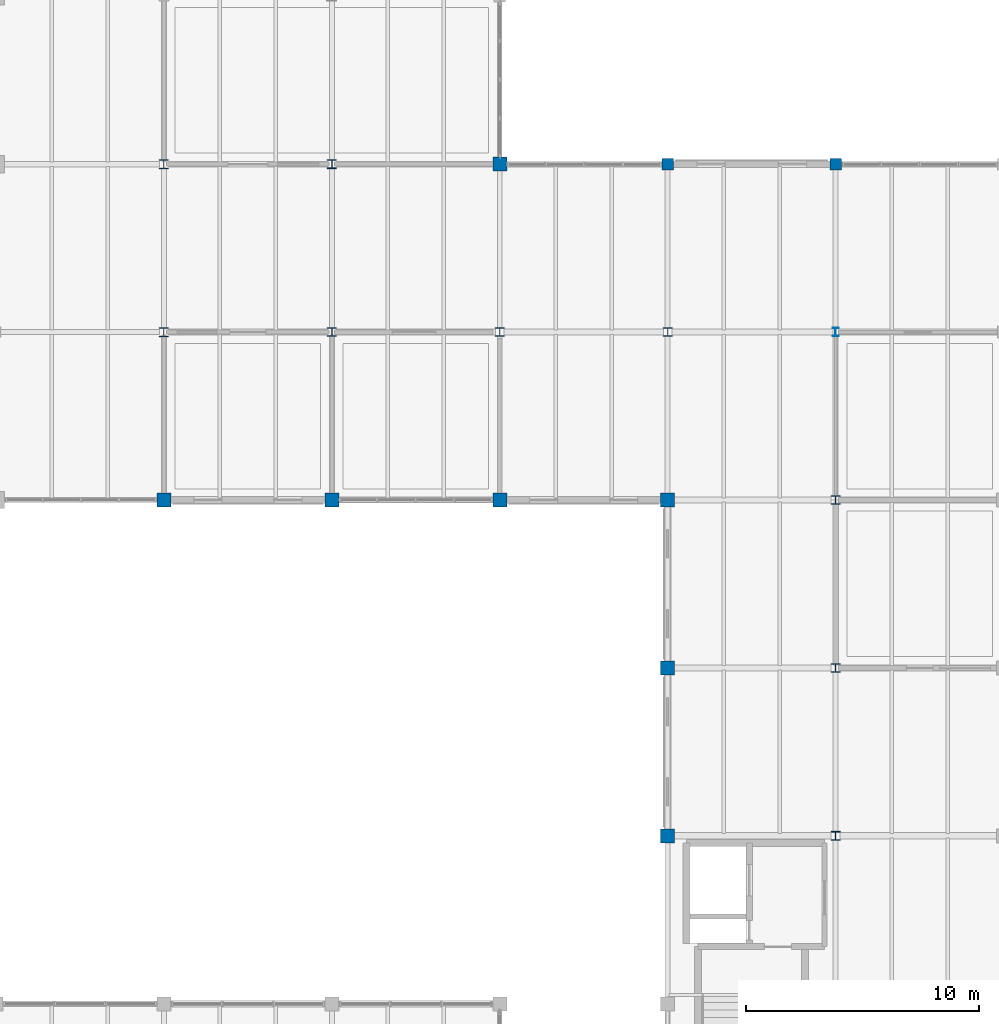
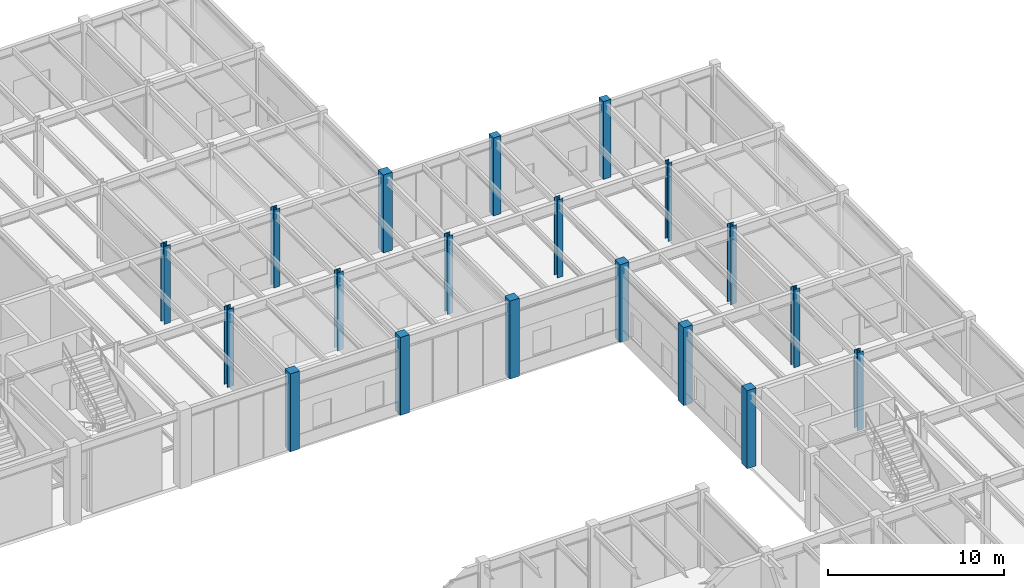
# One storey, part 13 of 97: 19 columns.
"""IFC4 building model written with IfcOpenShell, lengths in metres."""

from ifc_helpers import new_model, si_unit, direction, frame, origin, origin_2d, place, context, subcontext, project, spatial, rectangle, i_section, extrude, material, material_profile, profile_set, type_object, element, save


model = new_model("IFC4")

# Units and contexts
model_context = context("Model", 3, precision=1e-05, world=origin(), true_north=direction((0.0, 1.0)))
body_context = subcontext(model_context, "Body", "Model", "MODEL_VIEW")
ifc_project = project(units=[si_unit("LENGTHUNIT", "METRE"), si_unit("AREAUNIT", "SQUARE_METRE"), si_unit("VOLUMEUNIT", "CUBIC_METRE"), si_unit("PLANEANGLEUNIT", "RADIAN"), si_unit("MASSUNIT", "GRAM", prefix="KILO")], contexts=[model_context])

# Site, building, storey
site_placement = place(None, origin())
site = spatial("IfcSite", under=ifc_project, at=site_placement, CompositionType="ELEMENT")
building_placement = place(site_placement, origin())
building = spatial("IfcBuilding", under=site, at=building_placement, Name="Sillqori Civic Hall", CompositionType="ELEMENT")
storey_placement = place(building_placement, origin())
storey = spatial("IfcBuildingStorey", under=building, at=storey_placement, Name="L01", CompositionType="ELEMENT", Elevation=0.0)

# Columns
ifc_material_1 = material(Name="Concrete C35/45 (H35)", Category="concrete")
ifc_material_profile_1 = material_profile(ifc_material_1, rectangle(XDim=0.5, YDim=0.5, at=origin_2d()), Name="RC 500x500")
ifc_profile_set_1 = profile_set([ifc_material_profile_1], Name="Concrete C35/45 (H35)")
column_type_1 = type_object("IfcColumnType", Name="COL-RC500", PredefinedType="COLUMN", material=ifc_profile_set_1)
for number, where, z_axis, x_axis, name in (
    (1, (122.39990234375, 93.60009765625, 0.0), (0.0, 0.0, 1.0), (1.0, 0.0, 0.0), "L01 column 17-13"),
    (2, (129.60009765625, 93.60009765625, 0.0), (0.0, 0.0, 1.0), (1.0, 0.0, 0.0), "L01 column 18-13"),
):
    element("IfcColumn", number, at=place(storey_placement, frame(where, z_axis=z_axis, x_axis=x_axis)), inside=storey, type_object=column_type_1, Name=name, PredefinedType="COLUMN", context=body_context, shape_type="SweptSolid", body=[
        extrude(rectangle(XDim=0.5, YDim=0.5, at=origin_2d()), origin(), (0.0, 0.0, 1.0), 5.39990234375),
    ])
ifc_material_profile_2 = material_profile(ifc_material_1, rectangle(XDim=0.60009765625, YDim=0.60009765625, at=origin_2d()), Name="RC 600x600")
ifc_profile_set_2 = profile_set([ifc_material_profile_2], Name="Concrete C35/45 (H35)")
column_type_2 = type_object("IfcColumnType", Name="COL-RC600", PredefinedType="COLUMN", material=ifc_profile_set_2)
for number, where, z_axis, x_axis, name in (
    (3, (100.800048828125, 79.199951171875, 0.0), (0.0, 0.0, 1.0), (1.0, 0.0, 0.0), "L01 column 14-11"),
    (4, (108.0, 79.199951171875, 0.0), (0.0, 0.0, 1.0), (1.0, 0.0, 0.0), "L01 column 15-11"),
    (5, (115.199951171875, 79.199951171875, 0.0), (0.0, 0.0, 1.0), (1.0, 0.0, 0.0), "L01 column 16-11"),
    (6, (115.199951171875, 93.60009765625, 0.0), (0.0, 0.0, 1.0), (1.0, 0.0, 0.0), "L01 column 16-13"),
    (7, (122.39990234375, 64.800048828125, 0.0), (0.0, 0.0, 1.0), (1.0, 0.0, 0.0), "L01 column 17-9"),
    (8, (122.39990234375, 72.0, 0.0), (0.0, 0.0, 1.0), (1.0, 0.0, 0.0), "L01 column 17-10"),
    (9, (122.39990234375, 79.199951171875, 0.0), (0.0, 0.0, 1.0), (1.0, 0.0, 0.0), "L01 column 17-11"),
):
    element("IfcColumn", number, at=place(storey_placement, frame(where, z_axis=z_axis, x_axis=x_axis)), inside=storey, type_object=column_type_2, Name=name, PredefinedType="COLUMN", context=body_context, shape_type="SweptSolid", body=[
        extrude(rectangle(XDim=0.60009765625, YDim=0.60009765625, at=origin_2d()), origin(), (0.0, 0.0, 1.0), 5.39990234375),
    ])
ifc_material_2 = material(Name="Steel ASTM A992", Category="steel")
ifc_material_profile_3 = material_profile(ifc_material_2, i_section(OverallWidth=0.373046875, OverallDepth=0.367919921875, WebThickness=0.014892578125, FlangeThickness=0.02392578125, FilletRadius=0.014892578125, at=origin_2d()), Name="W14X120")
ifc_profile_set_3 = profile_set([ifc_material_profile_3], Name="Steel ASTM A992")
column_type_3 = type_object("IfcColumnType", Name="COL-W14X120", PredefinedType="COLUMN", material=ifc_profile_set_3)
column_1_placement = place(storey_placement, frame((115.199951171875, 86.39990234375, 0.0), z_axis=(0.0, 0.0, 1.0), x_axis=(1.0, 0.0, 0.0)))
element("IfcColumn", 10, at=column_1_placement, inside=storey, type_object=column_type_3, Name="L01 column 16-12", PredefinedType="COLUMN", context=body_context, shape_type="SweptSolid", body=[
    extrude(i_section(OverallWidth=0.373046875, OverallDepth=0.367919921875, WebThickness=0.014892578125, FlangeThickness=0.02392578125, FilletRadius=0.014892578125, at=origin_2d()), origin(), (0.0, 0.0, 1.0), 5.39990234375),
])
ifc_material_profile_4 = material_profile(ifc_material_2, i_section(OverallWidth=0.39404296875, OverallDepth=0.3759765625, WebThickness=0.017333984375, FlangeThickness=0.027587890625, FilletRadius=0.014892578125, at=origin_2d()), Name="W14X145")
ifc_profile_set_4 = profile_set([ifc_material_profile_4], Name="Steel ASTM A992")
column_type_4 = type_object("IfcColumnType", Name="COL-W14X145", PredefinedType="COLUMN", material=ifc_profile_set_4)
for number, where, z_axis, x_axis, name in (
    (11, (108.0, 86.39990234375, 0.0), (0.0, 0.0, 1.0), (1.0, 0.0, 0.0), "L01 column 15-12"),
    (12, (108.0, 93.60009765625, 0.0), (0.0, 0.0, 1.0), (1.0, 0.0, 0.0), "L01 column 15-13"),
    (13, (129.60009765625, 64.800048828125, 0.0), (0.0, 0.0, 1.0), (1.0, 0.0, 0.0), "L01 column 18-9"),
    (14, (129.60009765625, 72.0, 0.0), (0.0, 0.0, 1.0), (1.0, 0.0, 0.0), "L01 column 18-10"),
    (15, (129.60009765625, 79.199951171875, 0.0), (0.0, 0.0, 1.0), (1.0, 0.0, 0.0), "L01 column 18-11"),
):
    element("IfcColumn", number, at=place(storey_placement, frame(where, z_axis=z_axis, x_axis=x_axis)), inside=storey, type_object=column_type_4, Name=name, PredefinedType="COLUMN", context=body_context, shape_type="SweptSolid", body=[
        extrude(i_section(OverallWidth=0.39404296875, OverallDepth=0.3759765625, WebThickness=0.017333984375, FlangeThickness=0.027587890625, FilletRadius=0.014892578125, at=origin_2d()), origin(), (0.0, 0.0, 1.0), 5.39990234375),
    ])
ifc_material_profile_5 = material_profile(ifc_material_2, i_section(OverallWidth=0.404052734375, OverallDepth=0.406005859375, WebThickness=0.027099609375, FlangeThickness=0.043701171875, FilletRadius=0.014892578125, at=origin_2d()), Name="W14X233")
ifc_profile_set_5 = profile_set([ifc_material_profile_5], Name="Steel ASTM A992")
column_type_5 = type_object("IfcColumnType", Name="COL-W14X233", PredefinedType="COLUMN", material=ifc_profile_set_5)
for number, where, z_axis, x_axis, name in (
    (16, (100.800048828125, 86.39990234375, 0.0), (0.0, 0.0, 1.0), (1.0, 0.0, 0.0), "L01 column 14-12"),
    (17, (100.800048828125, 93.60009765625, 0.0), (0.0, 0.0, 1.0), (1.0, 0.0, 0.0), "L01 column 14-13"),
):
    element("IfcColumn", number, at=place(storey_placement, frame(where, z_axis=z_axis, x_axis=x_axis)), inside=storey, type_object=column_type_5, Name=name, PredefinedType="COLUMN", context=body_context, shape_type="SweptSolid", body=[
        extrude(i_section(OverallWidth=0.404052734375, OverallDepth=0.406005859375, WebThickness=0.027099609375, FlangeThickness=0.043701171875, FilletRadius=0.014892578125, at=origin_2d()), origin(), (0.0, 0.0, 1.0), 5.39990234375),
    ])
ifc_material_profile_6 = material_profile(ifc_material_2, i_section(OverallWidth=0.257080078125, OverallDepth=0.363037109375, WebThickness=0.012939453125, FlangeThickness=0.021728515625, FilletRadius=0.014892578125, at=origin_2d()), Name="W14X82")
ifc_profile_set_6 = profile_set([ifc_material_profile_6], Name="Steel ASTM A992")
column_type_6 = type_object("IfcColumnType", Name="COL-W14X82", PredefinedType="COLUMN", material=ifc_profile_set_6)
column_2_placement = place(storey_placement, frame((129.60009765625, 86.39990234375, 0.0), z_axis=(0.0, 0.0, 1.0), x_axis=(1.0, 0.0, 0.0)))
element("IfcColumn", 18, at=column_2_placement, inside=storey, type_object=column_type_6, Name="L01 column 18-12", PredefinedType="COLUMN", context=body_context, shape_type="SweptSolid", body=[
    extrude(i_section(OverallWidth=0.257080078125, OverallDepth=0.363037109375, WebThickness=0.012939453125, FlangeThickness=0.021728515625, FilletRadius=0.014892578125, at=origin_2d()), origin(), (0.0, 0.0, 1.0), 5.39990234375),
])
ifc_material_profile_7 = material_profile(ifc_material_2, i_section(OverallWidth=0.37109375, OverallDepth=0.361083984375, WebThickness=0.012451171875, FlangeThickness=0.019775390625, FilletRadius=0.014892578125, at=origin_2d()), Name="W14X99")
ifc_profile_set_7 = profile_set([ifc_material_profile_7], Name="Steel ASTM A992")
column_type_7 = type_object("IfcColumnType", Name="COL-W14X99", PredefinedType="COLUMN", material=ifc_profile_set_7)
column_3_placement = place(storey_placement, frame((122.39990234375, 86.39990234375, 0.0), z_axis=(0.0, 0.0, 1.0), x_axis=(1.0, 0.0, 0.0)))
element("IfcColumn", 19, at=column_3_placement, inside=storey, type_object=column_type_7, Name="L01 column 17-12", PredefinedType="COLUMN", context=body_context, shape_type="SweptSolid", body=[
    extrude(i_section(OverallWidth=0.37109375, OverallDepth=0.361083984375, WebThickness=0.012451171875, FlangeThickness=0.019775390625, FilletRadius=0.014892578125, at=origin_2d()), origin(), (0.0, 0.0, 1.0), 5.39990234375),
])

save(model, "model.ifc")
